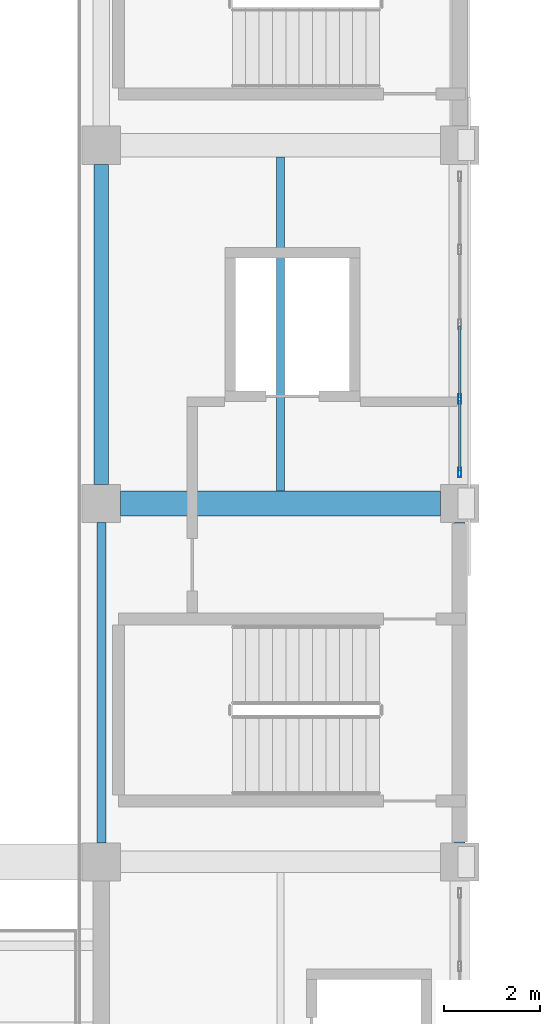
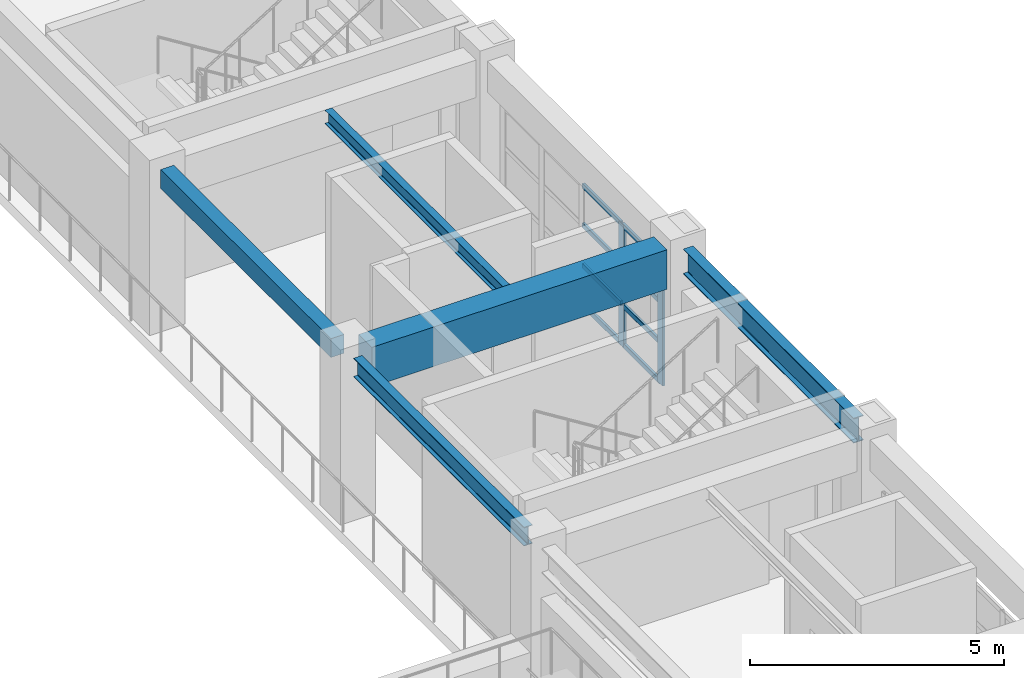
# One storey, part 39 of 124: 10 members, 5 beams, 1 element without a shape of its own.
"""IFC4 building model written with IfcOpenShell, lengths in metres."""

from ifc_helpers import new_model, si_unit, direction, frame, origin, origin_2d, place, context, subcontext, project, spatial, rectangle, hollow_rectangle, i_section, extrude, material, material_profile, profile_set, type_object, element, aggregate, save


model = new_model("IFC4")

# Units and contexts
model_context = context("Model", 3, precision=1e-05, world=origin(), true_north=direction((0.0, 1.0)))
body_context = subcontext(model_context, "Body", "Model", "MODEL_VIEW")
ifc_project = project(units=[si_unit("LENGTHUNIT", "METRE"), si_unit("AREAUNIT", "SQUARE_METRE"), si_unit("VOLUMEUNIT", "CUBIC_METRE"), si_unit("PLANEANGLEUNIT", "RADIAN"), si_unit("MASSUNIT", "GRAM", prefix="KILO")], contexts=[model_context])

# Site, building, storey
site_placement = place(None, origin())
site = spatial("IfcSite", under=ifc_project, at=site_placement, CompositionType="ELEMENT")
building_placement = place(site_placement, origin())
building = spatial("IfcBuilding", under=site, at=building_placement, Name="Qasida Concert Hall", CompositionType="ELEMENT")
storey_placement = place(building_placement, frame((0.0, 0.0, 9.0)))
storey = spatial("IfcBuildingStorey", under=building, at=storey_placement, Name="L02", CompositionType="ELEMENT", Elevation=9.0)

# Beams
ifc_material_1 = material(Name="Concrete C40/50", Category="concrete")
ifc_material_profile_1 = material_profile(ifc_material_1, rectangle(XDim=0.300048828125, YDim=0.449951171875, at=origin_2d()), Name="RC 300x450")
ifc_profile_set_1 = profile_set([ifc_material_profile_1], Name="Concrete C40/50")
beam_type_1 = type_object("IfcBeamType", Name="BM-B3", PredefinedType="BEAM", material=ifc_profile_set_1)
beam_1_placement = place(storey_placement, frame((97.5, 52.89990234375, 3.675048828125), z_axis=(0.0, 1.0, 0.0), x_axis=(-1.0, 0.0, 0.0)))
element("IfcBeam", 1, at=beam_1_placement, inside=storey, type_object=beam_type_1, Name="L02 girder 1191", PredefinedType="BEAM", context=body_context, shape_type="SweptSolid", body=[
    extrude(rectangle(XDim=0.300048828125, YDim=0.449951171875, at=origin_2d()), origin(), (0.0, 0.0, 1.0), 6.7001953125),
])
ifc_material_2 = material(Name="Steel S355J2", Category="steel")
ifc_material_profile_2 = material_profile(ifc_material_2, i_section(OverallWidth=0.18994140625, OverallDepth=0.449951171875, WebThickness=0.009521484375, FlangeThickness=0.0146484375, FilletRadius=0.02099609375, at=origin_2d()), Name="IPE 450")
ifc_profile_set_2 = profile_set([ifc_material_profile_2], Name="Steel S355J2")
beam_type_2 = type_object("IfcBeamType", Name="BM-B5", PredefinedType="BEAM", material=ifc_profile_set_2)
beam_2_placement = place(storey_placement, frame((97.5, 45.39990234375, 3.675048828125), z_axis=(0.0, 1.0, 0.0), x_axis=(-1.0, 0.0, 0.0)))
element("IfcBeam", 2, at=beam_2_placement, inside=storey, type_object=beam_type_2, Name="L02 girder 1190", PredefinedType="BEAM", context=body_context, shape_type="SweptSolid", body=[
    extrude(i_section(OverallWidth=0.18994140625, OverallDepth=0.449951171875, WebThickness=0.009521484375, FlangeThickness=0.0146484375, FilletRadius=0.02099609375, at=origin_2d()), origin(), (0.0, 0.0, 1.0), 6.7001953125),
])
ifc_material_profile_3 = material_profile(ifc_material_1, rectangle(XDim=0.52001953125, YDim=0.949951171875, at=origin_2d()), Name="RC 520x950")
ifc_profile_set_3 = profile_set([ifc_material_profile_3], Name="Concrete C40/50")
beam_type_3 = type_object("IfcBeamType", Name="BM-G7", PredefinedType="USERDEFINED", material=ifc_profile_set_3)
beam_3_placement = place(storey_placement, frame((97.89990234375, 52.5, 3.425048828125), z_axis=(1.0, 0.0, 0.0), x_axis=(0.0, 1.0, 0.0)))
element("IfcBeam", 3, at=beam_3_placement, inside=storey, type_object=beam_type_3, Name="Primary girder 1152", ObjectType="GIRDER", PredefinedType="USERDEFINED", context=body_context, shape_type="SweptSolid", body=[
    extrude(rectangle(XDim=0.52001953125, YDim=0.949951171875, at=origin_2d()), origin(), (0.0, 0.0, 1.0), 6.7001953125),
])
ifc_material_profile_4 = material_profile(ifc_material_2, i_section(OverallWidth=0.159912109375, OverallDepth=0.330078125, WebThickness=0.007568359375, FlangeThickness=0.011474609375, FilletRadius=0.01806640625, at=origin_2d()), Name="IPE 330")
ifc_profile_set_4 = profile_set([ifc_material_profile_4], Name="Steel S355J2")
beam_type_4 = type_object("IfcBeamType", Name="BM-J5", PredefinedType="JOIST", material=ifc_profile_set_4)
beam_4_placement = place(storey_placement, frame((101.25, 52.760009765625, 3.735107421875), z_axis=(0.0, 1.0, 0.0), x_axis=(-1.0, 0.0, 0.0)))
element("IfcBeam", 4, at=beam_4_placement, inside=storey, type_object=beam_type_4, Name="L02 secondary joist 1220", PredefinedType="JOIST", context=body_context, shape_type="SweptSolid", body=[
    extrude(i_section(OverallWidth=0.159912109375, OverallDepth=0.330078125, WebThickness=0.007568359375, FlangeThickness=0.011474609375, FilletRadius=0.01806640625, at=origin_2d()), origin(), (0.0, 0.0, 1.0), 6.989990234375),
])
ifc_material_profile_5 = material_profile(ifc_material_2, i_section(OverallWidth=0.219970703125, OverallDepth=0.60009765625, WebThickness=0.011962890625, FlangeThickness=0.01904296875, FilletRadius=0.02392578125, at=origin_2d()), Name="IPE 600")
ifc_profile_set_5 = profile_set([ifc_material_profile_5], Name="Steel S355J2")
beam_type_5 = type_object("IfcBeamType", Name="BM-SP3", PredefinedType="SPANDREL", material=ifc_profile_set_5)
beam_5_placement = place(storey_placement, frame((105.0, 45.39990234375, 3.60009765625), z_axis=(0.0, 1.0, 0.0), x_axis=(-1.0, 0.0, 0.0)))
element("IfcBeam", 5, at=beam_5_placement, inside=storey, type_object=beam_type_5, Name="L02 girder 1196", PredefinedType="SPANDREL", context=body_context, shape_type="SweptSolid", body=[
    extrude(i_section(OverallWidth=0.219970703125, OverallDepth=0.60009765625, WebThickness=0.011962890625, FlangeThickness=0.01904296875, FilletRadius=0.02392578125, at=origin_2d()), origin(), (0.0, 0.0, 1.0), 6.7001953125),
])

# Curtain wall, members
ifc_material_3 = material(Name="Architectural bronze-anodized aluminium and low-E glass", Category="aluminium")
curtain_wall_type = type_object("IfcCurtainWallType", Name="CW-03", PredefinedType="NOTDEFINED", material=ifc_material_3)
curtain_wall_placement = place(storey_placement, origin())
curtain_wall = element("IfcCurtainWall", 6, at=curtain_wall_placement, inside=storey, type_object=curtain_wall_type, Name="L02 curtain wall CW-03 0050", PredefinedType="NOTDEFINED")
ifc_material_4 = material(Name="Architectural bronze-anodized aluminium EN AW-6063", Category="aluminium")
ifc_material_profile_6 = material_profile(ifc_material_4, hollow_rectangle(XDim=0.06494140625, YDim=0.199951171875, WallThickness=0.0048828125, InnerFilletRadius=0.0048828125, OuterFilletRadius=0.010009765625, at=origin_2d()), Name="CWM 200x65x5")
ifc_profile_set_6 = profile_set([ifc_material_profile_6], Name="Architectural bronze-anodized aluminium EN AW-6063")
member_type_1 = type_object("IfcMemberType", Name="MB-CWM-2", PredefinedType="MULLION", material=ifc_profile_set_6)
member_1_placement = place(storey_placement, frame((105.0, 53.152587890625, 0.0), z_axis=(0.0, 0.0, 1.0), x_axis=(-1.0, 0.0, 0.0)))
member_1 = element("IfcMember", 7, at=member_1_placement, type_object=member_type_1, Name="CW-03 mullion 1", PredefinedType="MULLION", context=body_context, shape_type="SweptSolid", body=[
    extrude(hollow_rectangle(XDim=0.06494140625, YDim=0.199951171875, WallThickness=0.0048828125, InnerFilletRadius=0.0048828125, OuterFilletRadius=0.010009765625, at=origin_2d()), origin(), (0.0, 0.0, 1.0), 2.919921875),
])
member_2_placement = place(storey_placement, frame((105.0, 54.68505859375, 0.0), z_axis=(0.0, 0.0, 1.0), x_axis=(-1.0, 0.0, 0.0)))
member_2 = element("IfcMember", 8, at=member_2_placement, type_object=member_type_1, Name="CW-03 mullion 2", PredefinedType="MULLION", context=body_context, shape_type="SweptSolid", body=[
    extrude(hollow_rectangle(XDim=0.06494140625, YDim=0.199951171875, WallThickness=0.0048828125, InnerFilletRadius=0.0048828125, OuterFilletRadius=0.010009765625, at=origin_2d()), origin(), (0.0, 0.0, 1.0), 2.919921875),
])
ifc_material_profile_7 = material_profile(ifc_material_4, hollow_rectangle(XDim=0.06005859375, YDim=0.1201171875, WallThickness=0.00390625, InnerFilletRadius=0.00390625, OuterFilletRadius=0.008056640625, at=origin_2d()), Name="CWT 120x60x4")
ifc_profile_set_7 = profile_set([ifc_material_profile_7], Name="Architectural bronze-anodized aluminium EN AW-6063")
member_type_2 = type_object("IfcMemberType", Name="MB-CWT-2", PredefinedType="USERDEFINED", material=ifc_profile_set_7)
member_3_placement = place(storey_placement, frame((105.0, 53.18505859375, 0.030029296875), z_axis=(0.0, 1.0, 0.0), x_axis=(-1.0, 0.0, 0.0)))
member_3 = element("IfcMember", 9, at=member_3_placement, type_object=member_type_2, Name="CW-03 transom 1.1", ObjectType="TRANSOM", PredefinedType="USERDEFINED", context=body_context, shape_type="SweptSolid", body=[
    extrude(hollow_rectangle(XDim=0.06005859375, YDim=0.1201171875, WallThickness=0.00390625, InnerFilletRadius=0.00390625, OuterFilletRadius=0.008056640625, at=origin_2d()), origin(), (0.0, 0.0, 1.0), 1.467529296875),
])
member_4_placement = place(storey_placement, frame((105.0, 53.18505859375, 0.973388671875), z_axis=(0.0, 1.0, 0.0), x_axis=(-1.0, 0.0, 0.0)))
member_4 = element("IfcMember", 10, at=member_4_placement, type_object=member_type_2, Name="CW-03 transom 1.2", ObjectType="TRANSOM", PredefinedType="USERDEFINED", context=body_context, shape_type="SweptSolid", body=[
    extrude(hollow_rectangle(XDim=0.06005859375, YDim=0.1201171875, WallThickness=0.00390625, InnerFilletRadius=0.00390625, OuterFilletRadius=0.008056640625, at=origin_2d()), origin(), (0.0, 0.0, 1.0), 1.467529296875),
])
member_5_placement = place(storey_placement, frame((105.0, 53.18505859375, 1.94677734375), z_axis=(0.0, 1.0, 0.0), x_axis=(-1.0, 0.0, 0.0)))
member_5 = element("IfcMember", 11, at=member_5_placement, type_object=member_type_2, Name="CW-03 transom 1.3", ObjectType="TRANSOM", PredefinedType="USERDEFINED", context=body_context, shape_type="SweptSolid", body=[
    extrude(hollow_rectangle(XDim=0.06005859375, YDim=0.1201171875, WallThickness=0.00390625, InnerFilletRadius=0.00390625, OuterFilletRadius=0.008056640625, at=origin_2d()), origin(), (0.0, 0.0, 1.0), 1.467529296875),
])
member_6_placement = place(storey_placement, frame((105.0, 53.18505859375, 2.889892578125), z_axis=(0.0, 1.0, 0.0), x_axis=(-1.0, 0.0, 0.0)))
member_6 = element("IfcMember", 12, at=member_6_placement, type_object=member_type_2, Name="CW-03 transom 1.4", ObjectType="TRANSOM", PredefinedType="USERDEFINED", context=body_context, shape_type="SweptSolid", body=[
    extrude(hollow_rectangle(XDim=0.06005859375, YDim=0.1201171875, WallThickness=0.00390625, InnerFilletRadius=0.00390625, OuterFilletRadius=0.008056640625, at=origin_2d()), origin(), (0.0, 0.0, 1.0), 1.467529296875),
])
member_7_placement = place(storey_placement, frame((105.0, 54.717529296875, 0.030029296875), z_axis=(0.0, 1.0, 0.0), x_axis=(-1.0, 0.0, 0.0)))
member_7 = element("IfcMember", 13, at=member_7_placement, type_object=member_type_2, Name="CW-03 transom 2.1", ObjectType="TRANSOM", PredefinedType="USERDEFINED", context=body_context, shape_type="SweptSolid", body=[
    extrude(hollow_rectangle(XDim=0.06005859375, YDim=0.1201171875, WallThickness=0.00390625, InnerFilletRadius=0.00390625, OuterFilletRadius=0.008056640625, at=origin_2d()), origin(), (0.0, 0.0, 1.0), 1.5),
])
member_8_placement = place(storey_placement, frame((105.0, 54.717529296875, 0.973388671875), z_axis=(0.0, 1.0, 0.0), x_axis=(-1.0, 0.0, 0.0)))
member_8 = element("IfcMember", 14, at=member_8_placement, type_object=member_type_2, Name="CW-03 transom 2.2", ObjectType="TRANSOM", PredefinedType="USERDEFINED", context=body_context, shape_type="SweptSolid", body=[
    extrude(hollow_rectangle(XDim=0.06005859375, YDim=0.1201171875, WallThickness=0.00390625, InnerFilletRadius=0.00390625, OuterFilletRadius=0.008056640625, at=origin_2d()), origin(), (0.0, 0.0, 1.0), 1.5),
])
member_9_placement = place(storey_placement, frame((105.0, 54.717529296875, 1.94677734375), z_axis=(0.0, 1.0, 0.0), x_axis=(-1.0, 0.0, 0.0)))
member_9 = element("IfcMember", 15, at=member_9_placement, type_object=member_type_2, Name="CW-03 transom 2.3", ObjectType="TRANSOM", PredefinedType="USERDEFINED", context=body_context, shape_type="SweptSolid", body=[
    extrude(hollow_rectangle(XDim=0.06005859375, YDim=0.1201171875, WallThickness=0.00390625, InnerFilletRadius=0.00390625, OuterFilletRadius=0.008056640625, at=origin_2d()), origin(), (0.0, 0.0, 1.0), 1.5),
])
member_10_placement = place(storey_placement, frame((105.0, 54.717529296875, 2.889892578125), z_axis=(0.0, 1.0, 0.0), x_axis=(-1.0, 0.0, 0.0)))
member_10 = element("IfcMember", 16, at=member_10_placement, type_object=member_type_2, Name="CW-03 transom 2.4", ObjectType="TRANSOM", PredefinedType="USERDEFINED", context=body_context, shape_type="SweptSolid", body=[
    extrude(hollow_rectangle(XDim=0.06005859375, YDim=0.1201171875, WallThickness=0.00390625, InnerFilletRadius=0.00390625, OuterFilletRadius=0.008056640625, at=origin_2d()), origin(), (0.0, 0.0, 1.0), 1.5),
])
aggregate(curtain_wall, [member_1, member_2, member_3, member_4, member_5, member_6, member_7, member_8, member_9, member_10])

save(model, "model.ifc")
